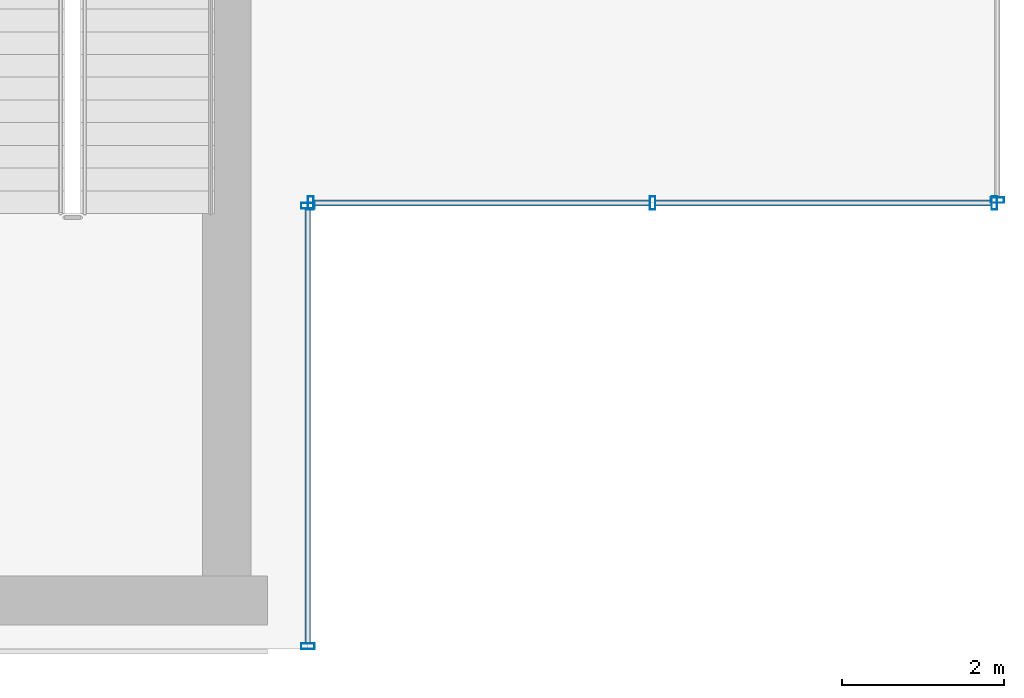
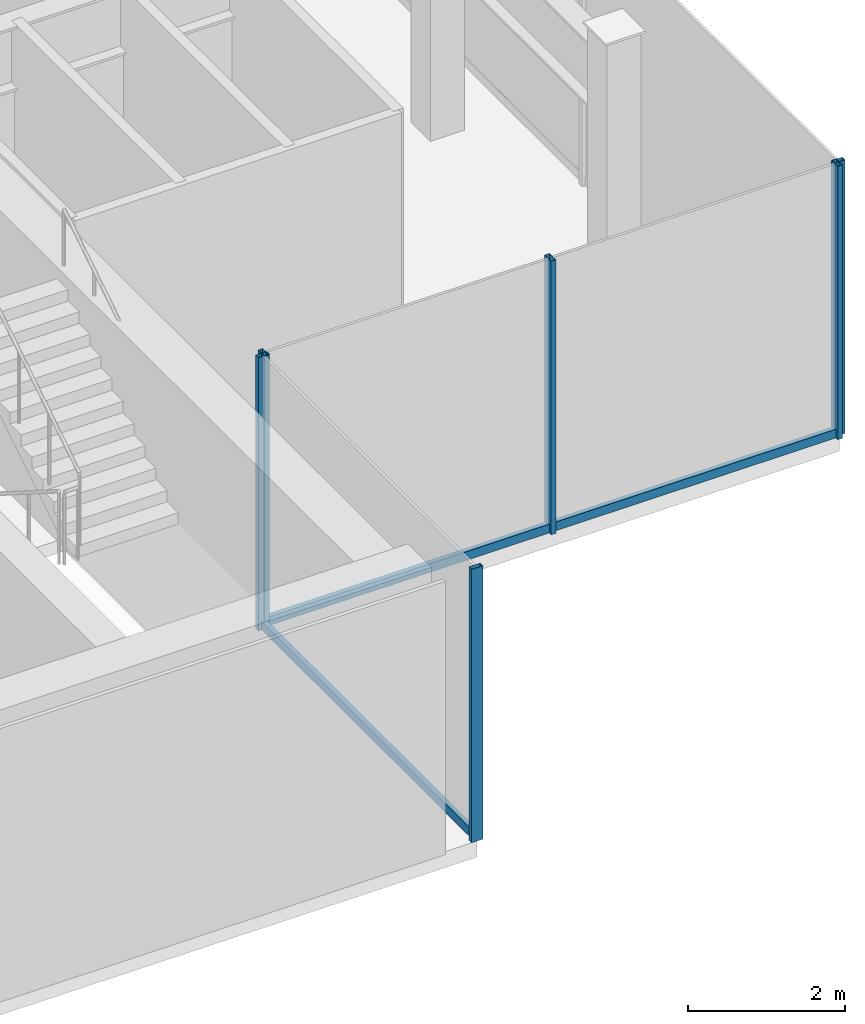
# One storey, part 9 of 24: 9 members, 3 elements without a shape of their own.
"""IFC4 building model written with IfcOpenShell, lengths in metres."""

from ifc_helpers import new_model, si_unit, derived_unit, direction, frame, origin, origin_2d, place, context, subcontext, project, spatial, hollow_rectangle, extrude, source, transform, mapped, material, material_profile, profile_set, type_object, element, aggregate, save


model = new_model("IFC4")

# Units and contexts
model_context = context("Model", 3, precision=1e-05, world=origin(), true_north=direction((0.0, 1.0)))
body_context = subcontext(model_context, "Body", "Model", "MODEL_VIEW")
ifc_project = project(units=[si_unit("LENGTHUNIT", "METRE"), si_unit("AREAUNIT", "SQUARE_METRE"), si_unit("VOLUMEUNIT", "CUBIC_METRE"), si_unit("PLANEANGLEUNIT", "RADIAN"), si_unit("MASSUNIT", "GRAM", prefix="KILO"), derived_unit("THERMALTRANSMITTANCEUNIT", [(si_unit("POWERUNIT", "WATT"), 1), (si_unit("LENGTHUNIT", "METRE"), -2), (si_unit("THERMODYNAMICTEMPERATUREUNIT", "KELVIN"), -1)])], contexts=[model_context])

# Site, building, storey
site_placement = place(None, origin())
site = spatial("IfcSite", under=ifc_project, at=site_placement, CompositionType="ELEMENT")
building_placement = place(site_placement, origin())
building = spatial("IfcBuilding", under=site, at=building_placement, Name="Skarnbrae Concourse Arena and Tower", CompositionType="ELEMENT")
storey_placement = place(building_placement, frame((0.0, 0.0, 288.0)))
storey = spatial("IfcBuildingStorey", under=building, at=storey_placement, Name="L75", CompositionType="ELEMENT", Elevation=288.0)

# Curtain wall, members
ifc_material = material(Name="Bronze anodised aluminium 6063-T6", Category="aluminium")
curtain_wall_type = type_object("IfcCurtainWallType", Name="CW-SYS-06-SKYLOBBY", PredefinedType="USERDEFINED", material=ifc_material)
curtain_wall_1_placement = place(storey_placement, origin())
curtain_wall_1 = element("IfcCurtainWall", 1, at=curtain_wall_1_placement, inside=storey, type_object=curtain_wall_type, Name="L75 Unitised curtain wall CW-L75-E03", ObjectType="UNITISED CURTAIN WALL", PredefinedType="USERDEFINED")
ifc_material_profile_1 = material_profile(ifc_material, hollow_rectangle(XDim=0.070068359375, YDim=0.135009765625, WallThickness=0.00390625, at=origin_2d()), Name="ALU-TRAN-70X135")
ifc_profile_set_1 = profile_set([ifc_material_profile_1], Name="Bronze anodised aluminium 6063-T6")
member_type_1 = type_object("IfcMemberType", Name="CWT-CW-06", PredefinedType="USERDEFINED", material=ifc_profile_set_1)
shared_shape_1 = source(origin(), body_context, "Body", "SweptSolid", [
    extrude(hollow_rectangle(XDim=0.070068359375, YDim=0.135009765625, WallThickness=0.00390625, at=origin_2d()), origin(), (0.0, 0.0, 1.0), 4.14501953125),
])
member_1_placement = place(storey_placement, frame((34.570068359375, 5.5, 0.0673828125), z_axis=(1.0, 0.0, 0.0), x_axis=(0.0, 1.0, 0.0)))
member_1 = element("IfcMember", 2, at=member_1_placement, type_object=member_type_1, Name="CW-L75-E03 Transom 1", ObjectType="TRANSOM", PredefinedType="USERDEFINED", context=body_context, shape_type="MappedRepresentation", body=[
    mapped(shared_shape_1, transform((0.0, 0.0, 0.0))),
])
member_2_placement = place(storey_placement, frame((38.784912109375, 5.5, 0.0673828125), z_axis=(1.0, 0.0, 0.0), x_axis=(0.0, 1.0, 0.0)))
member_2 = element("IfcMember", 3, at=member_2_placement, type_object=member_type_1, Name="CW-L75-E03 Transom 2", ObjectType="TRANSOM", PredefinedType="USERDEFINED", context=body_context, shape_type="MappedRepresentation", body=[
    mapped(shared_shape_1, transform((0.0, 0.0, 0.0))),
])

curtain_wall_2_placement = place(storey_placement, origin())
curtain_wall_2 = element("IfcCurtainWall", 4, at=curtain_wall_2_placement, inside=storey, type_object=curtain_wall_type, Name="L75 Unitised curtain wall CW-L75-E02", ObjectType="UNITISED CURTAIN WALL", PredefinedType="USERDEFINED")
shared_shape_2 = source(origin(), body_context, "Body", "SweptSolid", [
    extrude(hollow_rectangle(XDim=0.070068359375, YDim=0.135009765625, WallThickness=0.00390625, at=origin_2d()), origin(), (0.0, 0.0, 1.0), 5.35986328125),
])
member_3_placement = place(storey_placement, frame((34.5, 0.070068359375, 0.0673828125), z_axis=(0.0, 1.0, 0.0), x_axis=(-1.0, 0.0, 0.0)))
member_3 = element("IfcMember", 5, at=member_3_placement, type_object=member_type_1, Name="CW-L75-E02 Transom 1", ObjectType="TRANSOM", PredefinedType="USERDEFINED", context=body_context, shape_type="MappedRepresentation", body=[
    mapped(shared_shape_2, transform((0.0, 0.0, 0.0))),
])
ifc_material_profile_2 = material_profile(ifc_material, hollow_rectangle(XDim=0.070068359375, YDim=0.1650390625, WallThickness=0.00390625, at=origin_2d()), Name="ALU-MULL-70X165")
ifc_profile_set_2 = profile_set([ifc_material_profile_2], Name="Bronze anodised aluminium 6063-T6")
member_type_2 = type_object("IfcMemberType", Name="CWM-CW-06", PredefinedType="MULLION", material=ifc_profile_set_2)
shared_shape_3 = source(origin(), body_context, "Body", "SweptSolid", [
    extrude(hollow_rectangle(XDim=0.070068359375, YDim=0.1650390625, WallThickness=0.00390625, at=origin_2d()), origin(), (0.0, 0.0, 1.0), 4.25),
])
member_4_placement = place(storey_placement, frame((34.5, 0.034912109375, 0.0), z_axis=(0.0, 0.0, 1.0), x_axis=(0.0, 1.0, 0.0)))
member_4 = element("IfcMember", 6, at=member_4_placement, type_object=member_type_2, Name="CW-L75-E02 Mullion 1", PredefinedType="MULLION", context=body_context, shape_type="MappedRepresentation", body=[
    mapped(shared_shape_3, transform((0.0, 0.0, 0.0))),
])
member_5_placement = place(storey_placement, frame((34.5, 5.465087890625, 0.0), z_axis=(0.0, 0.0, 1.0), x_axis=(0.0, 1.0, 0.0)))
member_5 = element("IfcMember", 7, at=member_5_placement, type_object=member_type_2, Name="CW-L75-E02 Mullion 2", PredefinedType="MULLION", context=body_context, shape_type="MappedRepresentation", body=[
    mapped(shared_shape_3, transform((0.0, 0.0, 0.0))),
])
aggregate(curtain_wall_2, [member_4, member_5, member_3])

# Member
member_6_placement = place(storey_placement, frame((34.534912109375, 5.5, 0.0), z_axis=(0.0, 0.0, 1.0), x_axis=(1.0, 0.0, 0.0)))
member_6 = element("IfcMember", 8, at=member_6_placement, type_object=member_type_2, Name="CW-L75-E03 Mullion 1", PredefinedType="MULLION", context=body_context, shape_type="MappedRepresentation", body=[
    mapped(shared_shape_3, transform((0.0, 0.0, 0.0))),
])

member_7_placement = place(storey_placement, frame((38.75, 5.5, 0.0), z_axis=(0.0, 0.0, 1.0), x_axis=(1.0, 0.0, 0.0)))
member_7 = element("IfcMember", 9, at=member_7_placement, type_object=member_type_2, Name="CW-L75-E03 Mullion 2", PredefinedType="MULLION", context=body_context, shape_type="MappedRepresentation", body=[
    mapped(shared_shape_3, transform((0.0, 0.0, 0.0))),
])

member_8_placement = place(storey_placement, frame((42.965087890625, 5.5, 0.0), z_axis=(0.0, 0.0, 1.0), x_axis=(1.0, 0.0, 0.0)))
member_8 = element("IfcMember", 10, at=member_8_placement, type_object=member_type_2, Name="CW-L75-E03 Mullion 3", PredefinedType="MULLION", context=body_context, shape_type="MappedRepresentation", body=[
    mapped(shared_shape_3, transform((0.0, 0.0, 0.0))),
])

aggregate(curtain_wall_1, [member_6, member_7, member_8, member_1, member_2])

# Curtain wall, member
curtain_wall_3_placement = place(storey_placement, origin())
curtain_wall_3 = element("IfcCurtainWall", 11, at=curtain_wall_3_placement, inside=storey, type_object=curtain_wall_type, Name="L75 Unitised curtain wall CW-L75-E04", ObjectType="UNITISED CURTAIN WALL", PredefinedType="USERDEFINED")
member_9_placement = place(storey_placement, frame((43.0, 5.534912109375, 0.0), z_axis=(0.0, 0.0, 1.0), x_axis=(0.0, 1.0, 0.0)))
member_9 = element("IfcMember", 12, at=member_9_placement, type_object=member_type_2, Name="CW-L75-E04 Mullion 1", PredefinedType="MULLION", context=body_context, shape_type="MappedRepresentation", body=[
    mapped(shared_shape_3, transform((0.0, 0.0, 0.0))),
])
aggregate(curtain_wall_3, [member_9])

save(model, "model.ifc")
